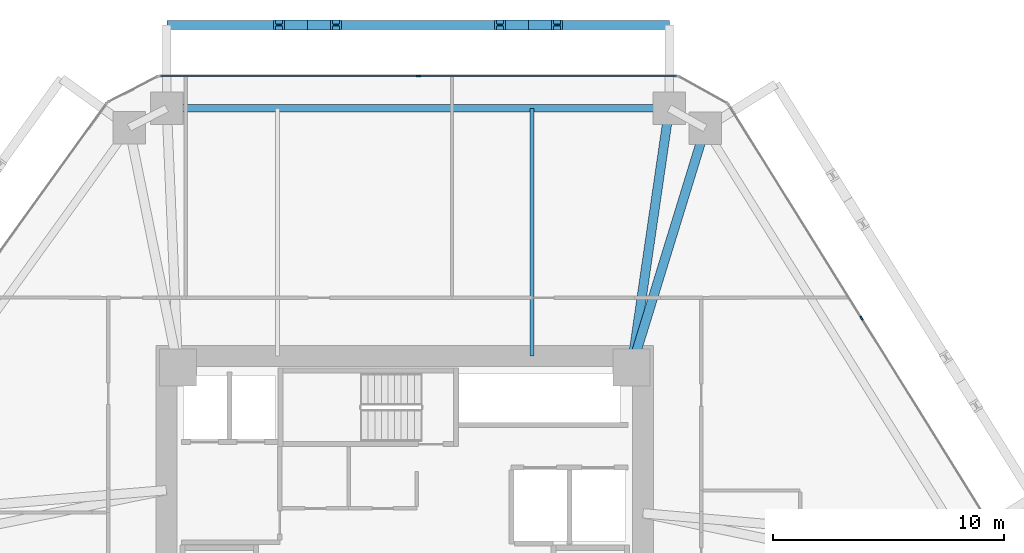
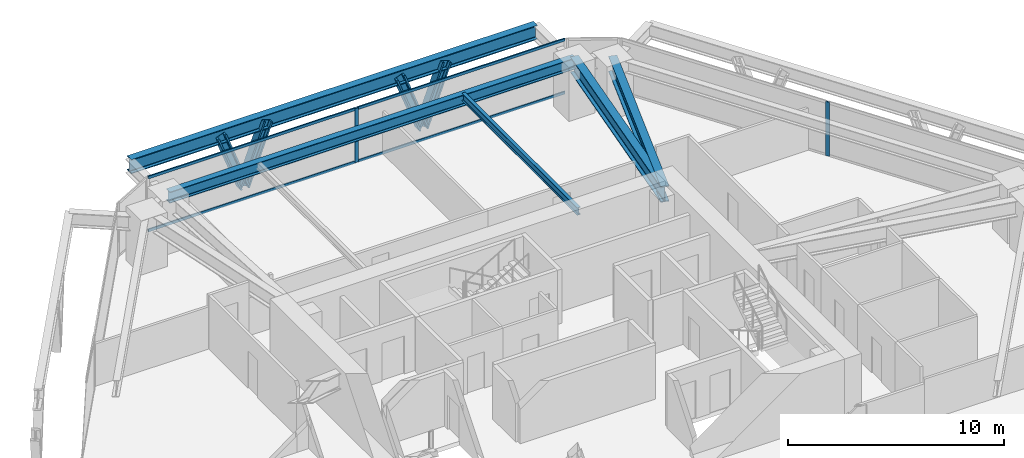
# One storey, part 8 of 14: 10 members, 5 beams, 2 elements without a shape of their own.
"""IFC4 building model written with IfcOpenShell, lengths in metres."""

from ifc_helpers import new_model, si_unit, direction, frame, origin, origin_2d, place, context, subcontext, project, spatial, rectangle, i_section, extrude, source, transform, mapped, material, layer, layer_set, material_profile, profile_set, type_object, type_shapes, element, aggregate, save


model = new_model("IFC4")

# Units and contexts
model_context = context("Model", 3, precision=1e-05, world=origin(), true_north=direction((0.0, 1.0)))
body_context = subcontext(model_context, "Body", "Model", "MODEL_VIEW")
ifc_project = project(units=[si_unit("LENGTHUNIT", "METRE"), si_unit("AREAUNIT", "SQUARE_METRE"), si_unit("VOLUMEUNIT", "CUBIC_METRE"), si_unit("PLANEANGLEUNIT", "RADIAN"), si_unit("MASSUNIT", "GRAM", prefix="KILO")], contexts=[model_context])

# Site, building, storey
site_placement = place(None, origin())
site = spatial("IfcSite", under=ifc_project, at=site_placement, CompositionType="ELEMENT")
building_placement = place(site_placement, origin())
building = spatial("IfcBuilding", under=site, at=building_placement, Name="Durnholm Broadcast Tower", CompositionType="ELEMENT")
storey_placement = place(building_placement, frame((0.0, 0.0, 48.89990234375)))
storey = spatial("IfcBuildingStorey", under=building, at=storey_placement, Name="L11", CompositionType="ELEMENT", Elevation=48.89990234375)

# Beams
ifc_material_1 = material(Name="Steel ASTM A992 Grade 50", Category="steel")
ifc_material_profile_1 = material_profile(ifc_material_1, i_section(OverallWidth=0.3291015625, OverallDepth=0.635009765625, WebThickness=0.017822265625, FlangeThickness=0.031005859375, FilletRadius=0.02783203125, at=origin_2d()), Name="W24X162")
ifc_profile_set_1 = profile_set([ifc_material_profile_1], Name="Steel ASTM A992 Grade 50")
beam_type_1 = type_object("IfcBeamType", Name="STL-SP-W24X162", PredefinedType="SPANDREL", material=ifc_profile_set_1)
shared_shape_1 = source(origin(), body_context, "Body", "SweptSolid", [
    extrude(i_section(OverallWidth=0.3291015625, OverallDepth=0.635009765625, WebThickness=0.017822265625, FlangeThickness=0.031005859375, FilletRadius=0.02783203125, at=origin_2d()), origin(), (0.0, 0.0, 1.0), 21.7138671875),
])
type_shapes(beam_type_1, [shared_shape_1])
beam_1_placement = place(storey_placement, frame((-10.28271484375, 19.0, 2.7275390625), z_axis=(1.0, 0.0, 0.0), x_axis=(0.0, 1.0, 0.0)))
element("IfcBeam", 1, at=beam_1_placement, inside=storey, type_object=beam_type_1, Name="L11 perimeter spandrel girder 05", PredefinedType="SPANDREL", context=body_context, shape_type="MappedRepresentation", body=[
    mapped(shared_shape_1, transform((0.0, 0.0, 0.0), x_axis=(1.0, 0.0, 0.0), y_axis=(0.0, 1.0, 0.0), z_axis=(0.0, 0.0, 1.0), scale=1.0)),
])
ifc_material_profile_2 = material_profile(ifc_material_1, i_section(OverallWidth=0.404052734375, OverallDepth=0.885009765625, WebThickness=0.0244140625, FlangeThickness=0.0439453125, FilletRadius=0.03564453125, at=origin_2d()), Name="W33X291")
ifc_profile_set_2 = profile_set([ifc_material_profile_2], Name="Steel ASTM A992 Grade 50")
beam_type_2 = type_object("IfcBeamType", Name="STL-GR-W33X291", PredefinedType="USERDEFINED", material=ifc_profile_set_2)
shared_shape_2 = source(origin(), body_context, "Body", "SweptSolid", [
    extrude(i_section(OverallWidth=0.404052734375, OverallDepth=0.885009765625, WebThickness=0.0244140625, FlangeThickness=0.0439453125, FilletRadius=0.03564453125, at=origin_2d()), origin(), (0.0, 0.0, 1.0), 11.318115234375),
])
beam_2_placement = place(storey_placement, frame((9.800048828125, 7.800048828125, 2.6025390625), z_axis=(0.144114595679, 0.989561005352, 0.0), x_axis=(-0.989561005352, 0.144114595679, 0.0)))
element("IfcBeam", 2, at=beam_2_placement, inside=storey, type_object=beam_type_2, Name="L11 radial primary floor girder 06", ObjectType="GIRDER", PredefinedType="USERDEFINED", context=body_context, shape_type="MappedRepresentation", body=[
    mapped(shared_shape_2, transform((0.0, 0.0, 0.0), x_axis=(1.0, 0.0, 0.0), y_axis=(0.0, 1.0, 0.0), z_axis=(0.0, 0.0, 1.0), scale=1.0)),
])
shared_shape_3 = source(origin(), body_context, "Body", "SweptSolid", [
    extrude(i_section(OverallWidth=0.404052734375, OverallDepth=0.885009765625, WebThickness=0.0244140625, FlangeThickness=0.0439453125, FilletRadius=0.03564453125, at=origin_2d()), origin(), (0.0, 0.0, 1.0), 10.817138671875),
])
type_shapes(beam_type_2, [shared_shape_2, shared_shape_3])
beam_3_placement = place(storey_placement, frame((9.800048828125, 7.800048828125, 2.6025390625), z_axis=(0.294219068418, 0.955738007918, 0.0), x_axis=(-0.955738007918, 0.294219068418, 0.0)))
element("IfcBeam", 3, at=beam_3_placement, inside=storey, type_object=beam_type_2, Name="L11 radial primary floor girder 07", ObjectType="GIRDER", PredefinedType="USERDEFINED", context=body_context, shape_type="MappedRepresentation", body=[
    mapped(shared_shape_3, transform((0.0, 0.0, 0.0), x_axis=(1.0, 0.0, 0.0), y_axis=(0.0, 1.0, 0.0), z_axis=(0.0, 0.0, 1.0), scale=1.0)),
])
ifc_material_profile_3 = material_profile(ifc_material_1, i_section(OverallWidth=0.180908203125, OverallDepth=0.417236328125, WebThickness=0.010986328125, FlangeThickness=0.018310546875, FilletRadius=0.01904296875, at=origin_2d()), Name="W16X57")
ifc_profile_set_3 = profile_set([ifc_material_profile_3], Name="Steel ASTM A992 Grade 50")
beam_type_3 = type_object("IfcBeamType", Name="STL-BJ-W16X57", PredefinedType="JOIST", material=ifc_profile_set_3)
shared_shape_4 = source(origin(), body_context, "Body", "SweptSolid", [
    extrude(i_section(OverallWidth=0.180908203125, OverallDepth=0.417236328125, WebThickness=0.010986328125, FlangeThickness=0.018310546875, FilletRadius=0.01904296875, at=origin_2d()), origin(), (0.0, 0.0, 1.0), 10.699951171875),
])
type_shapes(beam_type_3, [shared_shape_4])
beam_4_placement = place(storey_placement, frame((5.5, 8.300048828125, 2.83642578125), z_axis=(0.0, 1.0, 0.0), x_axis=(-1.0, 0.0, 0.0)))
element("IfcBeam", 4, at=beam_4_placement, inside=storey, type_object=beam_type_3, Name="L11 secondary floor joist 4.2", PredefinedType="JOIST", context=body_context, shape_type="MappedRepresentation", body=[
    mapped(shared_shape_4, transform((0.0, 0.0, 0.0), x_axis=(1.0, 0.0, 0.0), y_axis=(0.0, 1.0, 0.0), z_axis=(0.0, 0.0, 1.0), scale=1.0)),
])
ifc_material_profile_4 = material_profile(ifc_material_1, i_section(OverallWidth=0.385009765625, OverallDepth=0.802978515625, WebThickness=0.023681640625, FlangeThickness=0.0419921875, FilletRadius=0.032958984375, at=origin_2d()), Name="W30X261")
ifc_profile_set_4 = profile_set([ifc_material_profile_4], Name="Steel ASTM A992 Grade 50")
beam_type_4 = type_object("IfcBeamType", Name="BM-EXO-TIE", PredefinedType="USERDEFINED", material=ifc_profile_set_4)
shared_shape_5 = source(origin(), body_context, "Body", "SweptSolid", [
    extrude(i_section(OverallWidth=0.385009765625, OverallDepth=0.802978515625, WebThickness=0.023681640625, FlangeThickness=0.0419921875, FilletRadius=0.032958984375, at=origin_2d()), origin(), (0.0, 0.0, 1.0), 21.7138671875),
])
type_shapes(beam_type_4, [shared_shape_5])
beam_5_placement = place(storey_placement, frame((11.43115234375, 22.60009765625, 2.30859375), z_axis=(-1.0, 0.0, 0.0), x_axis=(0.0, -1.0, 0.0)))
element("IfcBeam", 5, at=beam_5_placement, inside=storey, type_object=beam_type_4, Name="L11 exoskeleton collector spandrel F4", PredefinedType="SPANDREL", context=body_context, shape_type="MappedRepresentation", body=[
    mapped(shared_shape_5, transform((0.0, 0.0, 0.0), x_axis=(1.0, 0.0, 0.0), y_axis=(0.0, 1.0, 0.0), z_axis=(0.0, 0.0, 1.0), scale=1.0)),
])

# Members
ifc_material_2 = material(Name="Steel ASTM A913 Grade 65", Category="steel")
ifc_material_profile_5 = material_profile(ifc_material_2, i_section(OverallWidth=0.43212890625, OverallDepth=0.497802734375, WebThickness=0.0556640625, FlangeThickness=0.0888671875, FilletRadius=0.030517578125, at=origin_2d()), Name="W14X500")
ifc_profile_set_5 = profile_set([ifc_material_profile_5], Name="Steel ASTM A913 Grade 65")
member_type_1 = type_object("IfcMemberType", Name="STL-DG-W14X500", PredefinedType="BRACE", material=ifc_profile_set_5)
shared_shape_6 = source(origin(), body_context, "Body", "SweptSolid", [
    extrude(i_section(OverallWidth=0.43212890625, OverallDepth=0.497802734375, WebThickness=0.0556640625, FlangeThickness=0.0888671875, FilletRadius=0.030517578125, at=origin_2d()), origin(), (0.0, 0.0, 1.0), 3.523193359375),
])
type_shapes(member_type_1, [shared_shape_6])
for number, where, z_axis, x_axis, name in (
    (6, (5.351318359375, 22.60009765625, -0.991455078125), (0.350219588454, 0.0, 0.936667625075), (0.0, 1.0, 0.0), "L11 stand-off diagrid brace F4.D1.1"),
    (7, (5.351318359375, 22.60009765625, -0.991455078125), (-0.350219588454, 0.0, 0.936667625075), (0.0, -1.0, 0.0), "L11 stand-off diagrid brace F4.D1.2"),
    (8, (-4.202880859375, 22.60009765625, -0.991455078125), (0.350219588454, 0.0, 0.936667625075), (0.0, 1.0, 0.0), "L11 stand-off diagrid brace F4.D2.1"),
    (9, (-4.202880859375, 22.60009765625, -0.991455078125), (-0.350219588454, 0.0, 0.936667625075), (0.0, -1.0, 0.0), "L11 stand-off diagrid brace F4.D2.2"),
):
    element("IfcMember", number, at=place(storey_placement, frame(where, z_axis=z_axis, x_axis=x_axis)), inside=storey, type_object=member_type_1, Name=name, PredefinedType="BRACE", context=body_context, shape_type="MappedRepresentation", body=[
        mapped(shared_shape_6, transform((0.0, 0.0, 0.0), x_axis=(1.0, 0.0, 0.0), y_axis=(0.0, 1.0, 0.0), z_axis=(0.0, 0.0, 1.0), scale=1.0)),
    ])

# Curtain wall, member
ifc_material_3 = material(Name="Aluminium and Solar Control IGU", Category="aluminium")
ifc_layer = layer(ifc_material_3, 0.18994140625)
ifc_layer_set = layer_set([ifc_layer], Name="Aluminium and Solar Control IGU")
curtain_wall_type = type_object("IfcCurtainWallType", Name="CW-SYS-3", PredefinedType="NOTDEFINED", material=ifc_layer_set)
curtain_wall_1_placement = place(storey_placement, origin())
curtain_wall_1 = element("IfcCurtainWall", 10, at=curtain_wall_1_placement, inside=storey, type_object=curtain_wall_type, Name="L11 curtain wall CW-Z12-VIS CW-L11-F04", PredefinedType="NOTDEFINED")
ifc_material_4 = material(Name="Aluminium 6063-T6", Category="aluminium")
ifc_material_profile_6 = material_profile(ifc_material_4, rectangle(XDim=0.070068359375, YDim=0.18994140625, at=origin_2d()), Name="CWM70X190")
ifc_profile_set_6 = profile_set([ifc_material_profile_6], Name="Aluminium 6063-T6")
member_type_2 = type_object("IfcMemberType", Name="CW-SYS-3-MUL", PredefinedType="MULLION", material=ifc_profile_set_6)
shared_shape_7 = source(origin(), body_context, "Body", "SweptSolid", [
    extrude(rectangle(XDim=0.070068359375, YDim=0.18994140625, at=origin_2d()), origin(), (0.0, 0.0, 1.0), 3.06005859375),
])
type_shapes(member_type_2, [shared_shape_7])
member_1_placement = place(storey_placement, frame((0.5869140625, 20.39990234375, 0.0), z_axis=(0.0, 0.0, 1.0), x_axis=(0.0, 1.0, 0.0)))
member_1 = element("IfcMember", 11, at=member_1_placement, type_object=member_type_2, Name="CW-Z12-VIS mullion 2", PredefinedType="MULLION", context=body_context, shape_type="MappedRepresentation", body=[
    mapped(shared_shape_7, transform((0.0, 0.0, 0.0), x_axis=(1.0, 0.0, 0.0), y_axis=(0.0, 1.0, 0.0), z_axis=(0.0, 0.0, 1.0), scale=1.0)),
])

curtain_wall_2_placement = place(storey_placement, origin())
curtain_wall_2 = element("IfcCurtainWall", 12, at=curtain_wall_2_placement, inside=storey, type_object=curtain_wall_type, Name="L11 curtain wall CW-Z12-VIS CW-L11-F06", PredefinedType="NOTDEFINED")
member_2_placement = place(storey_placement, frame((19.741943359375, 9.93212890625, 0.0), z_axis=(0.0, 0.0, 1.0), x_axis=(0.848875785503, 0.528592376777, 0.0)))
member_2 = element("IfcMember", 13, at=member_2_placement, type_object=member_type_2, Name="CW-Z12-VIS mullion 2", PredefinedType="MULLION", context=body_context, shape_type="MappedRepresentation", body=[
    mapped(shared_shape_7, transform((0.0, 0.0, 0.0), x_axis=(1.0, 0.0, 0.0), y_axis=(0.0, 1.0, 0.0), z_axis=(0.0, 0.0, 1.0), scale=1.0)),
])
aggregate(curtain_wall_2, [member_2])

# Member
ifc_material_profile_7 = material_profile(ifc_material_4, rectangle(XDim=0.070068359375, YDim=0.14990234375, at=origin_2d()), Name="CWT70X150")
ifc_profile_set_7 = profile_set([ifc_material_profile_7], Name="Aluminium 6063-T6")
member_type_3 = type_object("IfcMemberType", Name="CW-SYS-3-TRN", PredefinedType="USERDEFINED", material=ifc_profile_set_7)
shared_shape_8 = source(origin(), body_context, "Body", "SweptSolid", [
    extrude(rectangle(XDim=0.070068359375, YDim=0.14990234375, at=origin_2d()), origin(), (0.0, 0.0, 1.0), 11.10205078125),
])
type_shapes(member_type_3, [shared_shape_8])
member_3_placement = place(storey_placement, frame((-10.55029296875, 20.39990234375, 0.03515625), z_axis=(1.0, 0.0, 0.0), x_axis=(0.0, 1.0, 0.0)))
member_3 = element("IfcMember", 14, at=member_3_placement, type_object=member_type_3, Name="CW-Z12-VIS transom 1.1", ObjectType="TRANSOM", PredefinedType="USERDEFINED", context=body_context, shape_type="MappedRepresentation", body=[
    mapped(shared_shape_8, transform((0.0, 0.0, 0.0), x_axis=(1.0, 0.0, 0.0), y_axis=(0.0, 1.0, 0.0), z_axis=(0.0, 0.0, 1.0), scale=1.0)),
])

member_4_placement = place(storey_placement, frame((-10.55029296875, 20.39990234375, 3.025146484375), z_axis=(1.0, 0.0, 0.0), x_axis=(0.0, 1.0, 0.0)))
member_4 = element("IfcMember", 15, at=member_4_placement, type_object=member_type_3, Name="CW-Z12-VIS transom 1.2", ObjectType="TRANSOM", PredefinedType="USERDEFINED", context=body_context, shape_type="MappedRepresentation", body=[
    mapped(shared_shape_8, transform((0.0, 0.0, 0.0), x_axis=(1.0, 0.0, 0.0), y_axis=(0.0, 1.0, 0.0), z_axis=(0.0, 0.0, 1.0), scale=1.0)),
])

member_5_placement = place(storey_placement, frame((0.621826171875, 20.39990234375, 0.03515625), z_axis=(1.0, 0.0, 0.0), x_axis=(0.0, 1.0, 0.0)))
member_5 = element("IfcMember", 16, at=member_5_placement, type_object=member_type_3, Name="CW-Z12-VIS transom 2.1", ObjectType="TRANSOM", PredefinedType="USERDEFINED", context=body_context, shape_type="MappedRepresentation", body=[
    mapped(shared_shape_8, transform((0.0, 0.0, 0.0), x_axis=(1.0, 0.0, 0.0), y_axis=(0.0, 1.0, 0.0), z_axis=(0.0, 0.0, 1.0), scale=1.0)),
])

member_6_placement = place(storey_placement, frame((0.621826171875, 20.39990234375, 3.025146484375), z_axis=(1.0, 0.0, 0.0), x_axis=(0.0, 1.0, 0.0)))
member_6 = element("IfcMember", 17, at=member_6_placement, type_object=member_type_3, Name="CW-Z12-VIS transom 2.2", ObjectType="TRANSOM", PredefinedType="USERDEFINED", context=body_context, shape_type="MappedRepresentation", body=[
    mapped(shared_shape_8, transform((0.0, 0.0, 0.0), x_axis=(1.0, 0.0, 0.0), y_axis=(0.0, 1.0, 0.0), z_axis=(0.0, 0.0, 1.0), scale=1.0)),
])

aggregate(curtain_wall_1, [member_1, member_3, member_4, member_5, member_6])

save(model, "model.ifc")
